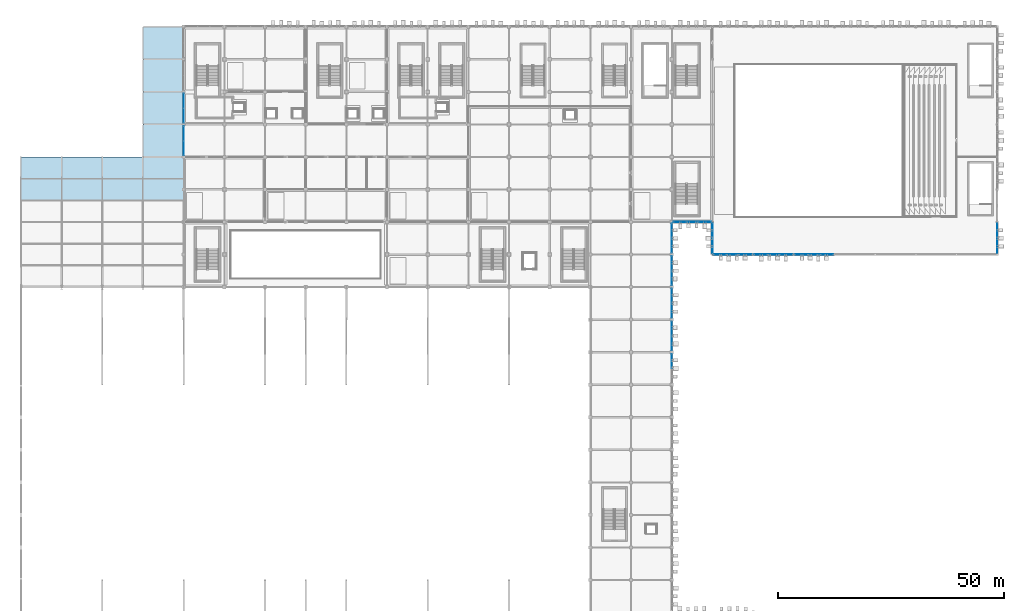
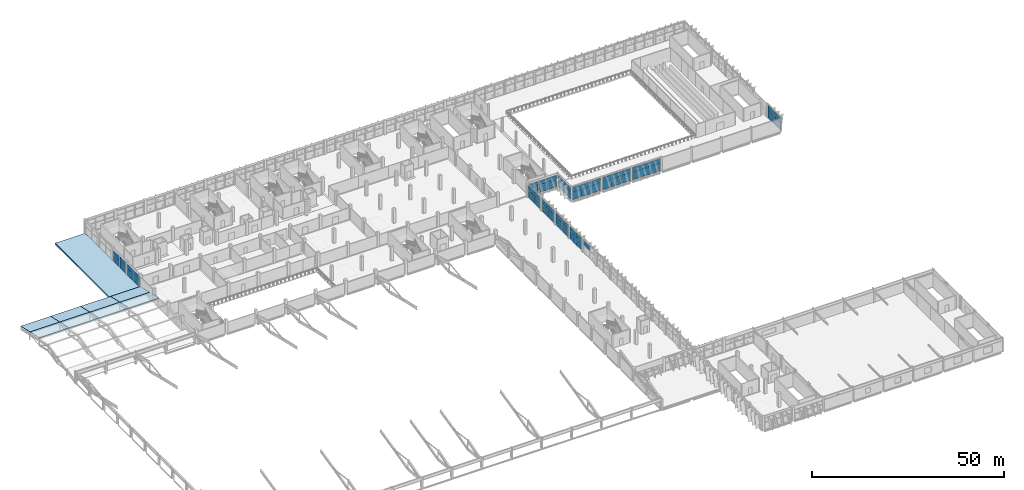
# One storey, part 90 of 151: 57 plates, 9 slabs, 13 elements without a shape of their own.
"""IFC4 building model written with IfcOpenShell, lengths in metres."""

from ifc_helpers import new_model, si_unit, direction, frame, origin, origin_2d, place, context, subcontext, project, spatial, polyline, rectangle, outline, extrude, material, layer, layer_set, type_object, element, aggregate, save


model = new_model("IFC4")

# Units and contexts
model_context = context("Model", 3, precision=1e-05, world=origin(), true_north=direction((0.0, 1.0)))
body_context = subcontext(model_context, "Body", "Model", "MODEL_VIEW")
ifc_project = project(units=[si_unit("LENGTHUNIT", "METRE"), si_unit("AREAUNIT", "SQUARE_METRE"), si_unit("VOLUMEUNIT", "CUBIC_METRE"), si_unit("PLANEANGLEUNIT", "RADIAN"), si_unit("MASSUNIT", "GRAM", prefix="KILO")], contexts=[model_context])

# Site, building, storey
site_placement = place(None, origin())
site = spatial("IfcSite", under=ifc_project, at=site_placement, CompositionType="ELEMENT")
building_placement = place(site_placement, origin())
building = spatial("IfcBuilding", under=site, at=building_placement, Name="Celestram Park Convention Centre", CompositionType="ELEMENT")
storey_placement = place(building_placement, frame((0.0, 0.0, 10.800048828125)))
storey = spatial("IfcBuildingStorey", under=building, at=storey_placement, Name="L02", CompositionType="ELEMENT", Elevation=10.800048828125)

# Curtain wall, plates
ifc_material_1 = material(Name="Anodised Aluminium Alloy 6063-T6", Category="aluminium")
ifc_layer_1 = layer(ifc_material_1, 0.179931640625)
ifc_layer_set_1 = layer_set([ifc_layer_1], Name="Anodised Aluminium Alloy 6063-T6")
curtain_wall_type_1 = type_object("IfcCurtainWallType", Name="ARC-CW-650X363", PredefinedType="NOTDEFINED", material=ifc_layer_set_1)
curtain_wall_1_placement = place(storey_placement, origin())
curtain_wall_1 = element("IfcCurtainWall", 1, at=curtain_wall_1_placement, inside=storey, type_object=curtain_wall_type_1, Name="Unitised curtain wall CU-L02-146", PredefinedType="NOTDEFINED")
ifc_material_2 = material(Name="Insulated Glazing Unit 28 mm", Category="glass")
ifc_layer_2 = layer(ifc_material_2, 0.028076171875)
ifc_layer_set_2 = layer_set([ifc_layer_2], Name="Insulated Glazing Unit 28 mm")
plate_type_1 = type_object("IfcPlateType", Name="ARC-CWP-IGU28", PredefinedType="CURTAIN_PANEL", material=ifc_layer_set_2)
plate_1_placement = place(storey_placement, frame((36.0, 138.790283203125, 0.06005859375), z_axis=(0.0, 0.0, 1.0), x_axis=(0.0, 1.0, 0.0)))
plate_1 = element("IfcPlate", 2, at=plate_1_placement, type_object=plate_type_1, Name="CW-65X36 panel 1.1", PredefinedType="CURTAIN_PANEL", context=body_context, shape_type="SweptSolid", body=[
    extrude(rectangle(XDim=3.154541015625, YDim=0.028076171875, at=origin_2d()), origin(), (0.0, 0.0, 1.0), 2.0869140625),
])
plate_2_placement = place(storey_placement, frame((36.0, 138.790283203125, 2.20703125), z_axis=(0.0, 0.0, 1.0), x_axis=(0.0, 1.0, 0.0)))
plate_2 = element("IfcPlate", 3, at=plate_2_placement, type_object=plate_type_1, Name="CW-65X36 panel 1.2", PredefinedType="CURTAIN_PANEL", context=body_context, shape_type="SweptSolid", body=[
    extrude(rectangle(XDim=3.154541015625, YDim=0.028076171875, at=origin_2d()), origin(), (0.0, 0.0, 1.0), 1.361083984375),
])
plate_3_placement = place(storey_placement, frame((36.0, 142.009765625, 0.06005859375), z_axis=(0.0, 0.0, 1.0), x_axis=(0.0, 1.0, 0.0)))
plate_3 = element("IfcPlate", 4, at=plate_3_placement, type_object=plate_type_1, Name="CW-65X36 panel 2.1", PredefinedType="CURTAIN_PANEL", context=body_context, shape_type="SweptSolid", body=[
    extrude(rectangle(XDim=3.154541015625, YDim=0.028076171875, at=origin_2d()), origin(), (0.0, 0.0, 1.0), 2.0869140625),
])
plate_4_placement = place(storey_placement, frame((36.0, 142.009765625, 2.20703125), z_axis=(0.0, 0.0, 1.0), x_axis=(0.0, 1.0, 0.0)))
plate_4 = element("IfcPlate", 5, at=plate_4_placement, type_object=plate_type_1, Name="CW-65X36 panel 2.2", PredefinedType="CURTAIN_PANEL", context=body_context, shape_type="SweptSolid", body=[
    extrude(rectangle(XDim=3.154541015625, YDim=0.028076171875, at=origin_2d()), origin(), (0.0, 0.0, 1.0), 1.361083984375),
])
aggregate(curtain_wall_1, [plate_1, plate_2, plate_3, plate_4])

curtain_wall_2_placement = place(storey_placement, origin())
curtain_wall_2 = element("IfcCurtainWall", 6, at=curtain_wall_2_placement, inside=storey, type_object=curtain_wall_type_1, Name="Unitised curtain wall CU-L02-147", PredefinedType="NOTDEFINED")
plate_5_placement = place(storey_placement, frame((36.0, 145.990234375, 0.06005859375), z_axis=(0.0, 0.0, 1.0), x_axis=(0.0, 1.0, 0.0)))
plate_5 = element("IfcPlate", 7, at=plate_5_placement, type_object=plate_type_1, Name="CW-65X36 panel 1.1", PredefinedType="CURTAIN_PANEL", context=body_context, shape_type="SweptSolid", body=[
    extrude(rectangle(XDim=3.154541015625, YDim=0.028076171875, at=origin_2d()), origin(), (0.0, 0.0, 1.0), 2.0869140625),
])
plate_6_placement = place(storey_placement, frame((36.0, 145.990234375, 2.20703125), z_axis=(0.0, 0.0, 1.0), x_axis=(0.0, 1.0, 0.0)))
plate_6 = element("IfcPlate", 8, at=plate_6_placement, type_object=plate_type_1, Name="CW-65X36 panel 1.2", PredefinedType="CURTAIN_PANEL", context=body_context, shape_type="SweptSolid", body=[
    extrude(rectangle(XDim=3.154541015625, YDim=0.028076171875, at=origin_2d()), origin(), (0.0, 0.0, 1.0), 1.361083984375),
])
plate_7_placement = place(storey_placement, frame((36.0, 149.209716796875, 0.06005859375), z_axis=(0.0, 0.0, 1.0), x_axis=(0.0, 1.0, 0.0)))
plate_7 = element("IfcPlate", 9, at=plate_7_placement, type_object=plate_type_1, Name="CW-65X36 panel 2.1", PredefinedType="CURTAIN_PANEL", context=body_context, shape_type="SweptSolid", body=[
    extrude(rectangle(XDim=3.154541015625, YDim=0.028076171875, at=origin_2d()), origin(), (0.0, 0.0, 1.0), 2.0869140625),
])
plate_8_placement = place(storey_placement, frame((36.0, 149.209716796875, 2.20703125), z_axis=(0.0, 0.0, 1.0), x_axis=(0.0, 1.0, 0.0)))
plate_8 = element("IfcPlate", 10, at=plate_8_placement, type_object=plate_type_1, Name="CW-65X36 panel 2.2", PredefinedType="CURTAIN_PANEL", context=body_context, shape_type="SweptSolid", body=[
    extrude(rectangle(XDim=3.154541015625, YDim=0.028076171875, at=origin_2d()), origin(), (0.0, 0.0, 1.0), 1.361083984375),
])
aggregate(curtain_wall_2, [plate_5, plate_6, plate_7, plate_8])

ifc_layer_3 = layer(ifc_material_1, 0.179931640625)
ifc_layer_set_3 = layer_set([ifc_layer_3], Name="Anodised Aluminium Alloy 6063-T6")
curtain_wall_type_2 = type_object("IfcCurtainWallType", Name="ARC-CW-680X414", PredefinedType="NOTDEFINED", material=ifc_layer_set_3)
curtain_wall_3_placement = place(storey_placement, origin())
curtain_wall_3 = element("IfcCurtainWall", 11, at=curtain_wall_3_placement, inside=storey, type_object=curtain_wall_type_2, Name="Unitised curtain wall CU-L02-175", PredefinedType="NOTDEFINED")
plate_9_placement = place(storey_placement, frame((216.0, 120.48486328125, 0.06005859375), z_axis=(0.0, 0.0, 1.0), x_axis=(0.0, -1.0, 0.0)))
plate_9 = element("IfcPlate", 12, at=plate_9_placement, type_object=plate_type_1, Name="CW-68X41 panel 1.1", PredefinedType="CURTAIN_PANEL", context=body_context, shape_type="SweptSolid", body=[
    extrude(rectangle(XDim=3.304443359375, YDim=0.028076171875, at=origin_2d()), origin(), (0.0, 0.0, 1.0), 2.39599609375),
])
plate_10_placement = place(storey_placement, frame((216.0, 120.48486328125, 2.51611328125), z_axis=(0.0, 0.0, 1.0), x_axis=(0.0, -1.0, 0.0)))
plate_10 = element("IfcPlate", 13, at=plate_10_placement, type_object=plate_type_1, Name="CW-68X41 panel 1.2", PredefinedType="CURTAIN_PANEL", context=body_context, shape_type="SweptSolid", body=[
    extrude(rectangle(XDim=3.304443359375, YDim=0.028076171875, at=origin_2d()), origin(), (0.0, 0.0, 1.0), 1.568115234375),
])
plate_11_placement = place(storey_placement, frame((216.0, 117.115234375, 0.06005859375), z_axis=(0.0, 0.0, 1.0), x_axis=(0.0, -1.0, 0.0)))
plate_11 = element("IfcPlate", 14, at=plate_11_placement, type_object=plate_type_1, Name="CW-68X41 panel 2.1", PredefinedType="CURTAIN_PANEL", context=body_context, shape_type="SweptSolid", body=[
    extrude(rectangle(XDim=3.304443359375, YDim=0.028076171875, at=origin_2d()), origin(), (0.0, 0.0, 1.0), 2.39599609375),
])
plate_12_placement = place(storey_placement, frame((216.0, 117.115234375, 2.51611328125), z_axis=(0.0, 0.0, 1.0), x_axis=(0.0, -1.0, 0.0)))
plate_12 = element("IfcPlate", 15, at=plate_12_placement, type_object=plate_type_1, Name="CW-68X41 panel 2.2", PredefinedType="CURTAIN_PANEL", context=body_context, shape_type="SweptSolid", body=[
    extrude(rectangle(XDim=3.304443359375, YDim=0.028076171875, at=origin_2d()), origin(), (0.0, 0.0, 1.0), 1.568115234375),
])
aggregate(curtain_wall_3, [plate_9, plate_10, plate_11, plate_12])

ifc_layer_4 = layer(ifc_material_1, 0.179931640625)
ifc_layer_set_4 = layer_set([ifc_layer_4], Name="Anodised Aluminium Alloy 6063-T6")
curtain_wall_type_3 = type_object("IfcCurtainWallType", Name="ARC-CW-680X389", PredefinedType="NOTDEFINED", material=ifc_layer_set_4)
curtain_wall_4_placement = place(storey_placement, origin())
curtain_wall_4 = element("IfcCurtainWall", 16, at=curtain_wall_4_placement, inside=storey, type_object=curtain_wall_type_3, Name="Unitised curtain wall CU-L02-179", PredefinedType="NOTDEFINED")
plate_13_placement = place(storey_placement, frame((153.0, 117.115234375, 0.059814453125), z_axis=(0.0, 0.0, 1.0), x_axis=(0.0, 1.0, 0.0)))
plate_13 = element("IfcPlate", 17, at=plate_13_placement, type_object=plate_type_1, Name="CW-68X38 panel 1.1", PredefinedType="CURTAIN_PANEL", context=body_context, shape_type="SweptSolid", body=[
    extrude(rectangle(XDim=3.304443359375, YDim=0.028076171875, at=origin_2d()), origin(), (0.0, 0.0, 1.0), 2.24609375),
])
plate_14_placement = place(storey_placement, frame((153.0, 117.115234375, 2.36572265625), z_axis=(0.0, 0.0, 1.0), x_axis=(0.0, 1.0, 0.0)))
plate_14 = element("IfcPlate", 18, at=plate_14_placement, type_object=plate_type_1, Name="CW-68X38 panel 1.2", PredefinedType="CURTAIN_PANEL", context=body_context, shape_type="SweptSolid", body=[
    extrude(rectangle(XDim=3.304443359375, YDim=0.028076171875, at=origin_2d()), origin(), (0.0, 0.0, 1.0), 1.468017578125),
])
plate_15_placement = place(storey_placement, frame((153.0, 120.48486328125, 0.059814453125), z_axis=(0.0, 0.0, 1.0), x_axis=(0.0, 1.0, 0.0)))
plate_15 = element("IfcPlate", 19, at=plate_15_placement, type_object=plate_type_1, Name="CW-68X38 panel 2.1", PredefinedType="CURTAIN_PANEL", context=body_context, shape_type="SweptSolid", body=[
    extrude(rectangle(XDim=3.304443359375, YDim=0.028076171875, at=origin_2d()), origin(), (0.0, 0.0, 1.0), 2.24609375),
])
plate_16_placement = place(storey_placement, frame((153.0, 120.48486328125, 2.36572265625), z_axis=(0.0, 0.0, 1.0), x_axis=(0.0, 1.0, 0.0)))
plate_16 = element("IfcPlate", 20, at=plate_16_placement, type_object=plate_type_1, Name="CW-68X38 panel 2.2", PredefinedType="CURTAIN_PANEL", context=body_context, shape_type="SweptSolid", body=[
    extrude(rectangle(XDim=3.304443359375, YDim=0.028076171875, at=origin_2d()), origin(), (0.0, 0.0, 1.0), 1.468017578125),
])
aggregate(curtain_wall_4, [plate_13, plate_14, plate_15, plate_16])

ifc_layer_5 = layer(ifc_material_1, 0.179931640625)
ifc_layer_set_5 = layer_set([ifc_layer_5], Name="Anodised Aluminium Alloy 6063-T6")
curtain_wall_type_4 = type_object("IfcCurtainWallType", Name="ARC-CW-650X389", PredefinedType="NOTDEFINED", material=ifc_layer_set_5)
curtain_wall_5_placement = place(storey_placement, origin())
curtain_wall_5 = element("IfcCurtainWall", 21, at=curtain_wall_5_placement, inside=storey, type_object=curtain_wall_type_4, Name="Unitised curtain wall CU-L02-181", PredefinedType="NOTDEFINED")
plate_17_placement = place(storey_placement, frame((144.0, 120.40966796875, 0.059814453125), z_axis=(0.0, 0.0, 1.0), x_axis=(0.0, -1.0, 0.0)))
plate_17 = element("IfcPlate", 22, at=plate_17_placement, type_object=plate_type_1, Name="CW-65X38 panel 1.1", PredefinedType="CURTAIN_PANEL", context=body_context, shape_type="SweptSolid", body=[
    extrude(rectangle(XDim=3.154541015625, YDim=0.028076171875, at=origin_2d()), origin(), (0.0, 0.0, 1.0), 2.24609375),
])
plate_18_placement = place(storey_placement, frame((144.0, 120.40966796875, 2.36572265625), z_axis=(0.0, 0.0, 1.0), x_axis=(0.0, -1.0, 0.0)))
plate_18 = element("IfcPlate", 23, at=plate_18_placement, type_object=plate_type_1, Name="CW-65X38 panel 1.2", PredefinedType="CURTAIN_PANEL", context=body_context, shape_type="SweptSolid", body=[
    extrude(rectangle(XDim=3.154541015625, YDim=0.028076171875, at=origin_2d()), origin(), (0.0, 0.0, 1.0), 1.468017578125),
])
plate_19_placement = place(storey_placement, frame((144.0, 117.190185546875, 0.059814453125), z_axis=(0.0, 0.0, 1.0), x_axis=(0.0, -1.0, 0.0)))
plate_19 = element("IfcPlate", 24, at=plate_19_placement, type_object=plate_type_1, Name="CW-65X38 panel 2.1", PredefinedType="CURTAIN_PANEL", context=body_context, shape_type="SweptSolid", body=[
    extrude(rectangle(XDim=3.154541015625, YDim=0.028076171875, at=origin_2d()), origin(), (0.0, 0.0, 1.0), 2.24609375),
])
plate_20_placement = place(storey_placement, frame((144.0, 117.190185546875, 2.36572265625), z_axis=(0.0, 0.0, 1.0), x_axis=(0.0, -1.0, 0.0)))
plate_20 = element("IfcPlate", 25, at=plate_20_placement, type_object=plate_type_1, Name="CW-65X38 panel 2.2", PredefinedType="CURTAIN_PANEL", context=body_context, shape_type="SweptSolid", body=[
    extrude(rectangle(XDim=3.154541015625, YDim=0.028076171875, at=origin_2d()), origin(), (0.0, 0.0, 1.0), 1.468017578125),
])
aggregate(curtain_wall_5, [plate_17, plate_18, plate_19, plate_20])

ifc_layer_6 = layer(ifc_material_1, 0.179931640625)
ifc_layer_set_6 = layer_set([ifc_layer_6], Name="Anodised Aluminium Alloy 6063-T6")
curtain_wall_type_5 = type_object("IfcCurtainWallType", Name="ARC-CW-650X400", PredefinedType="NOTDEFINED", material=ifc_layer_set_6)
curtain_wall_6_placement = place(storey_placement, origin())
curtain_wall_6 = element("IfcCurtainWall", 26, at=curtain_wall_6_placement, inside=storey, type_object=curtain_wall_type_5, Name="Unitised curtain wall CU-L02-182", PredefinedType="NOTDEFINED")
plate_21_placement = place(storey_placement, frame((144.0, 113.209716796875, 0.059814453125), z_axis=(0.0, 0.0, 1.0), x_axis=(0.0, -1.0, 0.0)))
plate_21 = element("IfcPlate", 27, at=plate_21_placement, type_object=plate_type_1, Name="CW-65X40 panel 1.1", PredefinedType="CURTAIN_PANEL", context=body_context, shape_type="SweptSolid", body=[
    extrude(rectangle(XDim=3.154541015625, YDim=0.028076171875, at=origin_2d()), origin(), (0.0, 0.0, 1.0), 2.31005859375),
])
plate_22_placement = place(storey_placement, frame((144.0, 113.209716796875, 2.43017578125), z_axis=(0.0, 0.0, 1.0), x_axis=(0.0, -1.0, 0.0)))
plate_22 = element("IfcPlate", 28, at=plate_22_placement, type_object=plate_type_1, Name="CW-65X40 panel 1.2", PredefinedType="CURTAIN_PANEL", context=body_context, shape_type="SweptSolid", body=[
    extrude(rectangle(XDim=3.154541015625, YDim=0.028076171875, at=origin_2d()), origin(), (0.0, 0.0, 1.0), 1.510009765625),
])
plate_23_placement = place(storey_placement, frame((144.0, 109.990234375, 0.059814453125), z_axis=(0.0, 0.0, 1.0), x_axis=(0.0, -1.0, 0.0)))
plate_23 = element("IfcPlate", 29, at=plate_23_placement, type_object=plate_type_1, Name="CW-65X40 panel 2.1", PredefinedType="CURTAIN_PANEL", context=body_context, shape_type="SweptSolid", body=[
    extrude(rectangle(XDim=3.154541015625, YDim=0.028076171875, at=origin_2d()), origin(), (0.0, 0.0, 1.0), 2.31005859375),
])
plate_24_placement = place(storey_placement, frame((144.0, 109.990234375, 2.43017578125), z_axis=(0.0, 0.0, 1.0), x_axis=(0.0, -1.0, 0.0)))
plate_24 = element("IfcPlate", 30, at=plate_24_placement, type_object=plate_type_1, Name="CW-65X40 panel 2.2", PredefinedType="CURTAIN_PANEL", context=body_context, shape_type="SweptSolid", body=[
    extrude(rectangle(XDim=3.154541015625, YDim=0.028076171875, at=origin_2d()), origin(), (0.0, 0.0, 1.0), 1.510009765625),
])
aggregate(curtain_wall_6, [plate_21, plate_22, plate_23, plate_24])

curtain_wall_7_placement = place(storey_placement, origin())
curtain_wall_7 = element("IfcCurtainWall", 31, at=curtain_wall_7_placement, inside=storey, type_object=curtain_wall_type_5, Name="Unitised curtain wall CU-L02-183", PredefinedType="NOTDEFINED")
plate_25_placement = place(storey_placement, frame((144.0, 106.009765625, 0.059814453125), z_axis=(0.0, 0.0, 1.0), x_axis=(0.0, -1.0, 0.0)))
plate_25 = element("IfcPlate", 32, at=plate_25_placement, type_object=plate_type_1, Name="CW-65X40 panel 1.1", PredefinedType="CURTAIN_PANEL", context=body_context, shape_type="SweptSolid", body=[
    extrude(rectangle(XDim=3.154541015625, YDim=0.028076171875, at=origin_2d()), origin(), (0.0, 0.0, 1.0), 2.31005859375),
])
plate_26_placement = place(storey_placement, frame((144.0, 106.009765625, 2.43017578125), z_axis=(0.0, 0.0, 1.0), x_axis=(0.0, -1.0, 0.0)))
plate_26 = element("IfcPlate", 33, at=plate_26_placement, type_object=plate_type_1, Name="CW-65X40 panel 1.2", PredefinedType="CURTAIN_PANEL", context=body_context, shape_type="SweptSolid", body=[
    extrude(rectangle(XDim=3.154541015625, YDim=0.028076171875, at=origin_2d()), origin(), (0.0, 0.0, 1.0), 1.510009765625),
])
plate_27_placement = place(storey_placement, frame((144.0, 102.790283203125, 0.059814453125), z_axis=(0.0, 0.0, 1.0), x_axis=(0.0, -1.0, 0.0)))
plate_27 = element("IfcPlate", 34, at=plate_27_placement, type_object=plate_type_1, Name="CW-65X40 panel 2.1", PredefinedType="CURTAIN_PANEL", context=body_context, shape_type="SweptSolid", body=[
    extrude(rectangle(XDim=3.154541015625, YDim=0.028076171875, at=origin_2d()), origin(), (0.0, 0.0, 1.0), 2.31005859375),
])
plate_28_placement = place(storey_placement, frame((144.0, 102.790283203125, 2.43017578125), z_axis=(0.0, 0.0, 1.0), x_axis=(0.0, -1.0, 0.0)))
plate_28 = element("IfcPlate", 35, at=plate_28_placement, type_object=plate_type_1, Name="CW-65X40 panel 2.2", PredefinedType="CURTAIN_PANEL", context=body_context, shape_type="SweptSolid", body=[
    extrude(rectangle(XDim=3.154541015625, YDim=0.028076171875, at=origin_2d()), origin(), (0.0, 0.0, 1.0), 1.510009765625),
])
aggregate(curtain_wall_7, [plate_25, plate_26, plate_27, plate_28])

curtain_wall_8_placement = place(storey_placement, origin())
curtain_wall_8 = element("IfcCurtainWall", 36, at=curtain_wall_8_placement, inside=storey, type_object=curtain_wall_type_5, Name="Unitised curtain wall CU-L02-184", PredefinedType="NOTDEFINED")
plate_29_placement = place(storey_placement, frame((144.0, 98.809814453125, 0.059814453125), z_axis=(0.0, 0.0, 1.0), x_axis=(0.0, -1.0, 0.0)))
plate_29 = element("IfcPlate", 37, at=plate_29_placement, type_object=plate_type_1, Name="CW-65X40 panel 1.1", PredefinedType="CURTAIN_PANEL", context=body_context, shape_type="SweptSolid", body=[
    extrude(rectangle(XDim=3.154541015625, YDim=0.028076171875, at=origin_2d()), origin(), (0.0, 0.0, 1.0), 2.31005859375),
])
plate_30_placement = place(storey_placement, frame((144.0, 98.809814453125, 2.43017578125), z_axis=(0.0, 0.0, 1.0), x_axis=(0.0, -1.0, 0.0)))
plate_30 = element("IfcPlate", 38, at=plate_30_placement, type_object=plate_type_1, Name="CW-65X40 panel 1.2", PredefinedType="CURTAIN_PANEL", context=body_context, shape_type="SweptSolid", body=[
    extrude(rectangle(XDim=3.154541015625, YDim=0.028076171875, at=origin_2d()), origin(), (0.0, 0.0, 1.0), 1.510009765625),
])
plate_31_placement = place(storey_placement, frame((144.0, 95.59033203125, 0.059814453125), z_axis=(0.0, 0.0, 1.0), x_axis=(0.0, -1.0, 0.0)))
plate_31 = element("IfcPlate", 39, at=plate_31_placement, type_object=plate_type_1, Name="CW-65X40 panel 2.1", PredefinedType="CURTAIN_PANEL", context=body_context, shape_type="SweptSolid", body=[
    extrude(rectangle(XDim=3.154541015625, YDim=0.028076171875, at=origin_2d()), origin(), (0.0, 0.0, 1.0), 2.31005859375),
])
plate_32_placement = place(storey_placement, frame((144.0, 95.59033203125, 2.43017578125), z_axis=(0.0, 0.0, 1.0), x_axis=(0.0, -1.0, 0.0)))
plate_32 = element("IfcPlate", 40, at=plate_32_placement, type_object=plate_type_1, Name="CW-65X40 panel 2.2", PredefinedType="CURTAIN_PANEL", context=body_context, shape_type="SweptSolid", body=[
    extrude(rectangle(XDim=3.154541015625, YDim=0.028076171875, at=origin_2d()), origin(), (0.0, 0.0, 1.0), 1.510009765625),
])
aggregate(curtain_wall_8, [plate_29, plate_30, plate_31, plate_32])

# Curtain wall, plate
curtain_wall_9_placement = place(storey_placement, origin())
curtain_wall_9 = element("IfcCurtainWall", 41, at=curtain_wall_9_placement, inside=storey, type_object=curtain_wall_type_5, Name="Unitised curtain wall CU-L02-185", PredefinedType="NOTDEFINED")
plate_33_placement = place(storey_placement, frame((144.0, 91.60986328125, 2.43017578125), z_axis=(0.0, 0.0, 1.0), x_axis=(0.0, -1.0, 0.0)))
plate_33 = element("IfcPlate", 42, at=plate_33_placement, type_object=plate_type_1, Name="CW-65X40 panel 1.2", PredefinedType="CURTAIN_PANEL", context=body_context, shape_type="SweptSolid", body=[
    extrude(rectangle(XDim=3.154541015625, YDim=0.028076171875, at=origin_2d()), origin(), (0.0, 0.0, 1.0), 1.510009765625),
])
aggregate(curtain_wall_9, [plate_33])

# Curtain wall, plates
ifc_layer_7 = layer(ifc_material_1, 0.179931640625)
ifc_layer_set_7 = layer_set([ifc_layer_7], Name="Anodised Aluminium Alloy 6063-T6")
curtain_wall_type_6 = type_object("IfcCurtainWallType", Name="ARC-CW-860X414", PredefinedType="NOTDEFINED", material=ifc_layer_set_7)
curtain_wall_10_placement = place(storey_placement, origin())
curtain_wall_10 = element("IfcCurtainWall", 43, at=curtain_wall_10_placement, inside=storey, type_object=curtain_wall_type_6, Name="Unitised curtain wall CU-L02-176", PredefinedType="NOTDEFINED")
ifc_material_3 = material(Name="Insulated Glazing Unit 38 mm", Category="glass")
ifc_layer_8 = layer(ifc_material_3, 0.0380859375)
ifc_layer_set_8 = layer_set([ifc_layer_8], Name="Insulated Glazing Unit 38 mm")
plate_type_2 = type_object("IfcPlateType", Name="ARC-CWP-IGU38", PredefinedType="CURTAIN_PANEL", material=ifc_layer_set_8)
plate_34_placement = place(storey_placement, frame((178.349365234375, 115.199951171875, 0.06494140625), z_axis=(0.0, 0.0, 1.0), x_axis=(-1.0, 0.0, 0.0)))
plate_34 = element("IfcPlate", 44, at=plate_34_placement, type_object=plate_type_2, Name="CW-86X41 panel 1.1", PredefinedType="CURTAIN_PANEL", context=body_context, shape_type="SweptSolid", body=[
    extrude(rectangle(XDim=2.755615234375, YDim=0.0380859375, at=origin_2d()), origin(), (0.0, 0.0, 1.0), 2.388427734375),
])
plate_35_placement = place(storey_placement, frame((178.349365234375, 115.199951171875, 2.518310546875), z_axis=(0.0, 0.0, 1.0), x_axis=(-1.0, 0.0, 0.0)))
plate_35 = element("IfcPlate", 45, at=plate_35_placement, type_object=plate_type_2, Name="CW-86X41 panel 1.2", PredefinedType="CURTAIN_PANEL", context=body_context, shape_type="SweptSolid", body=[
    extrude(rectangle(XDim=2.755615234375, YDim=0.0380859375, at=origin_2d()), origin(), (0.0, 0.0, 1.0), 1.560546875),
])
plate_36_placement = place(storey_placement, frame((175.5, 115.199951171875, 0.06494140625), z_axis=(0.0, 0.0, 1.0), x_axis=(-1.0, 0.0, 0.0)))
plate_36 = element("IfcPlate", 46, at=plate_36_placement, type_object=plate_type_2, Name="CW-86X41 panel 2.1", PredefinedType="CURTAIN_PANEL", context=body_context, shape_type="SweptSolid", body=[
    extrude(rectangle(XDim=2.79296875, YDim=0.0380859375, at=origin_2d()), origin(), (0.0, 0.0, 1.0), 2.388427734375),
])
plate_37_placement = place(storey_placement, frame((175.5, 115.199951171875, 2.518310546875), z_axis=(0.0, 0.0, 1.0), x_axis=(-1.0, 0.0, 0.0)))
plate_37 = element("IfcPlate", 47, at=plate_37_placement, type_object=plate_type_2, Name="CW-86X41 panel 2.2", PredefinedType="CURTAIN_PANEL", context=body_context, shape_type="SweptSolid", body=[
    extrude(rectangle(XDim=2.79296875, YDim=0.0380859375, at=origin_2d()), origin(), (0.0, 0.0, 1.0), 1.560546875),
])
plate_38_placement = place(storey_placement, frame((172.650634765625, 115.199951171875, 0.06494140625), z_axis=(0.0, 0.0, 1.0), x_axis=(-1.0, 0.0, 0.0)))
plate_38 = element("IfcPlate", 48, at=plate_38_placement, type_object=plate_type_2, Name="CW-86X41 panel 3.1", PredefinedType="CURTAIN_PANEL", context=body_context, shape_type="SweptSolid", body=[
    extrude(rectangle(XDim=2.755615234375, YDim=0.0380859375, at=origin_2d()), origin(), (0.0, 0.0, 1.0), 2.388427734375),
])
plate_39_placement = place(storey_placement, frame((172.650634765625, 115.199951171875, 2.518310546875), z_axis=(0.0, 0.0, 1.0), x_axis=(-1.0, 0.0, 0.0)))
plate_39 = element("IfcPlate", 49, at=plate_39_placement, type_object=plate_type_2, Name="CW-86X41 panel 3.2", PredefinedType="CURTAIN_PANEL", context=body_context, shape_type="SweptSolid", body=[
    extrude(rectangle(XDim=2.755615234375, YDim=0.0380859375, at=origin_2d()), origin(), (0.0, 0.0, 1.0), 1.560546875),
])
aggregate(curtain_wall_10, [plate_34, plate_35, plate_36, plate_37, plate_38, plate_39])

curtain_wall_11_placement = place(storey_placement, origin())
curtain_wall_11 = element("IfcCurtainWall", 50, at=curtain_wall_11_placement, inside=storey, type_object=curtain_wall_type_6, Name="Unitised curtain wall CU-L02-177", PredefinedType="NOTDEFINED")
plate_40_placement = place(storey_placement, frame((169.349365234375, 115.199951171875, 0.06494140625), z_axis=(0.0, 0.0, 1.0), x_axis=(-1.0, 0.0, 0.0)))
plate_40 = element("IfcPlate", 51, at=plate_40_placement, type_object=plate_type_2, Name="CW-86X41 panel 1.1", PredefinedType="CURTAIN_PANEL", context=body_context, shape_type="SweptSolid", body=[
    extrude(rectangle(XDim=2.755615234375, YDim=0.0380859375, at=origin_2d()), origin(), (0.0, 0.0, 1.0), 2.388427734375),
])
plate_41_placement = place(storey_placement, frame((169.349365234375, 115.199951171875, 2.518310546875), z_axis=(0.0, 0.0, 1.0), x_axis=(-1.0, 0.0, 0.0)))
plate_41 = element("IfcPlate", 52, at=plate_41_placement, type_object=plate_type_2, Name="CW-86X41 panel 1.2", PredefinedType="CURTAIN_PANEL", context=body_context, shape_type="SweptSolid", body=[
    extrude(rectangle(XDim=2.755615234375, YDim=0.0380859375, at=origin_2d()), origin(), (0.0, 0.0, 1.0), 1.560546875),
])
plate_42_placement = place(storey_placement, frame((166.5, 115.199951171875, 0.06494140625), z_axis=(0.0, 0.0, 1.0), x_axis=(-1.0, 0.0, 0.0)))
plate_42 = element("IfcPlate", 53, at=plate_42_placement, type_object=plate_type_2, Name="CW-86X41 panel 2.1", PredefinedType="CURTAIN_PANEL", context=body_context, shape_type="SweptSolid", body=[
    extrude(rectangle(XDim=2.79296875, YDim=0.0380859375, at=origin_2d()), origin(), (0.0, 0.0, 1.0), 2.388427734375),
])
plate_43_placement = place(storey_placement, frame((166.5, 115.199951171875, 2.518310546875), z_axis=(0.0, 0.0, 1.0), x_axis=(-1.0, 0.0, 0.0)))
plate_43 = element("IfcPlate", 54, at=plate_43_placement, type_object=plate_type_2, Name="CW-86X41 panel 2.2", PredefinedType="CURTAIN_PANEL", context=body_context, shape_type="SweptSolid", body=[
    extrude(rectangle(XDim=2.79296875, YDim=0.0380859375, at=origin_2d()), origin(), (0.0, 0.0, 1.0), 1.560546875),
])
plate_44_placement = place(storey_placement, frame((163.650634765625, 115.199951171875, 0.06494140625), z_axis=(0.0, 0.0, 1.0), x_axis=(-1.0, 0.0, 0.0)))
plate_44 = element("IfcPlate", 55, at=plate_44_placement, type_object=plate_type_2, Name="CW-86X41 panel 3.1", PredefinedType="CURTAIN_PANEL", context=body_context, shape_type="SweptSolid", body=[
    extrude(rectangle(XDim=2.755615234375, YDim=0.0380859375, at=origin_2d()), origin(), (0.0, 0.0, 1.0), 2.388427734375),
])
plate_45_placement = place(storey_placement, frame((163.650634765625, 115.199951171875, 2.518310546875), z_axis=(0.0, 0.0, 1.0), x_axis=(-1.0, 0.0, 0.0)))
plate_45 = element("IfcPlate", 56, at=plate_45_placement, type_object=plate_type_2, Name="CW-86X41 panel 3.2", PredefinedType="CURTAIN_PANEL", context=body_context, shape_type="SweptSolid", body=[
    extrude(rectangle(XDim=2.755615234375, YDim=0.0380859375, at=origin_2d()), origin(), (0.0, 0.0, 1.0), 1.560546875),
])
aggregate(curtain_wall_11, [plate_40, plate_41, plate_42, plate_43, plate_44, plate_45])

curtain_wall_12_placement = place(storey_placement, origin())
curtain_wall_12 = element("IfcCurtainWall", 57, at=curtain_wall_12_placement, inside=storey, type_object=curtain_wall_type_6, Name="Unitised curtain wall CU-L02-178", PredefinedType="NOTDEFINED")
plate_46_placement = place(storey_placement, frame((160.349365234375, 115.199951171875, 0.06494140625), z_axis=(0.0, 0.0, 1.0), x_axis=(-1.0, 0.0, 0.0)))
plate_46 = element("IfcPlate", 58, at=plate_46_placement, type_object=plate_type_2, Name="CW-86X41 panel 1.1", PredefinedType="CURTAIN_PANEL", context=body_context, shape_type="SweptSolid", body=[
    extrude(rectangle(XDim=2.755615234375, YDim=0.0380859375, at=origin_2d()), origin(), (0.0, 0.0, 1.0), 2.388427734375),
])
plate_47_placement = place(storey_placement, frame((160.349365234375, 115.199951171875, 2.518310546875), z_axis=(0.0, 0.0, 1.0), x_axis=(-1.0, 0.0, 0.0)))
plate_47 = element("IfcPlate", 59, at=plate_47_placement, type_object=plate_type_2, Name="CW-86X41 panel 1.2", PredefinedType="CURTAIN_PANEL", context=body_context, shape_type="SweptSolid", body=[
    extrude(rectangle(XDim=2.755615234375, YDim=0.0380859375, at=origin_2d()), origin(), (0.0, 0.0, 1.0), 1.560546875),
])
plate_48_placement = place(storey_placement, frame((157.5, 115.199951171875, 0.06494140625), z_axis=(0.0, 0.0, 1.0), x_axis=(-1.0, 0.0, 0.0)))
plate_48 = element("IfcPlate", 60, at=plate_48_placement, type_object=plate_type_2, Name="CW-86X41 panel 2.1", PredefinedType="CURTAIN_PANEL", context=body_context, shape_type="SweptSolid", body=[
    extrude(rectangle(XDim=2.79296875, YDim=0.0380859375, at=origin_2d()), origin(), (0.0, 0.0, 1.0), 2.388427734375),
])
plate_49_placement = place(storey_placement, frame((157.5, 115.199951171875, 2.518310546875), z_axis=(0.0, 0.0, 1.0), x_axis=(-1.0, 0.0, 0.0)))
plate_49 = element("IfcPlate", 61, at=plate_49_placement, type_object=plate_type_2, Name="CW-86X41 panel 2.2", PredefinedType="CURTAIN_PANEL", context=body_context, shape_type="SweptSolid", body=[
    extrude(rectangle(XDim=2.79296875, YDim=0.0380859375, at=origin_2d()), origin(), (0.0, 0.0, 1.0), 1.560546875),
])
plate_50_placement = place(storey_placement, frame((154.650634765625, 115.199951171875, 0.06494140625), z_axis=(0.0, 0.0, 1.0), x_axis=(-1.0, 0.0, 0.0)))
plate_50 = element("IfcPlate", 62, at=plate_50_placement, type_object=plate_type_2, Name="CW-86X41 panel 3.1", PredefinedType="CURTAIN_PANEL", context=body_context, shape_type="SweptSolid", body=[
    extrude(rectangle(XDim=2.755615234375, YDim=0.0380859375, at=origin_2d()), origin(), (0.0, 0.0, 1.0), 2.388427734375),
])
plate_51_placement = place(storey_placement, frame((154.650634765625, 115.199951171875, 2.518310546875), z_axis=(0.0, 0.0, 1.0), x_axis=(-1.0, 0.0, 0.0)))
plate_51 = element("IfcPlate", 63, at=plate_51_placement, type_object=plate_type_2, Name="CW-86X41 panel 3.2", PredefinedType="CURTAIN_PANEL", context=body_context, shape_type="SweptSolid", body=[
    extrude(rectangle(XDim=2.755615234375, YDim=0.0380859375, at=origin_2d()), origin(), (0.0, 0.0, 1.0), 1.560546875),
])
aggregate(curtain_wall_12, [plate_46, plate_47, plate_48, plate_49, plate_50, plate_51])

ifc_layer_9 = layer(ifc_material_1, 0.179931640625)
ifc_layer_set_9 = layer_set([ifc_layer_9], Name="Anodised Aluminium Alloy 6063-T6")
curtain_wall_type_7 = type_object("IfcCurtainWallType", Name="ARC-CW-845X389", PredefinedType="NOTDEFINED", material=ifc_layer_set_9)
curtain_wall_13_placement = place(storey_placement, origin())
curtain_wall_13 = element("IfcCurtainWall", 64, at=curtain_wall_13_placement, inside=storey, type_object=curtain_wall_type_7, Name="Unitised curtain wall CU-L02-180", PredefinedType="NOTDEFINED")
plate_52_placement = place(storey_placement, frame((151.374267578125, 122.39990234375, 0.06494140625), z_axis=(0.0, 0.0, 1.0), x_axis=(-1.0, 0.0, 0.0)))
plate_52 = element("IfcPlate", 65, at=plate_52_placement, type_object=plate_type_2, Name="CW-84X38 panel 1.1", PredefinedType="CURTAIN_PANEL", context=body_context, shape_type="SweptSolid", body=[
    extrude(rectangle(XDim=2.70556640625, YDim=0.0380859375, at=origin_2d()), origin(), (0.0, 0.0, 1.0), 2.238525390625),
])
plate_53_placement = place(storey_placement, frame((151.374267578125, 122.39990234375, 2.368408203125), z_axis=(0.0, 0.0, 1.0), x_axis=(-1.0, 0.0, 0.0)))
plate_53 = element("IfcPlate", 66, at=plate_53_placement, type_object=plate_type_2, Name="CW-84X38 panel 1.2", PredefinedType="CURTAIN_PANEL", context=body_context, shape_type="SweptSolid", body=[
    extrude(rectangle(XDim=2.70556640625, YDim=0.0380859375, at=origin_2d()), origin(), (0.0, 0.0, 1.0), 1.46044921875),
])
plate_54_placement = place(storey_placement, frame((148.574951171875, 122.39990234375, 0.06494140625), z_axis=(0.0, 0.0, 1.0), x_axis=(-1.0, 0.0, 0.0)))
plate_54 = element("IfcPlate", 67, at=plate_54_placement, type_object=plate_type_2, Name="CW-84X38 panel 2.1", PredefinedType="CURTAIN_PANEL", context=body_context, shape_type="SweptSolid", body=[
    extrude(rectangle(XDim=2.742919921875, YDim=0.0380859375, at=origin_2d()), origin(), (0.0, 0.0, 1.0), 2.238525390625),
])
plate_55_placement = place(storey_placement, frame((148.574951171875, 122.39990234375, 2.368408203125), z_axis=(0.0, 0.0, 1.0), x_axis=(-1.0, 0.0, 0.0)))
plate_55 = element("IfcPlate", 68, at=plate_55_placement, type_object=plate_type_2, Name="CW-84X38 panel 2.2", PredefinedType="CURTAIN_PANEL", context=body_context, shape_type="SweptSolid", body=[
    extrude(rectangle(XDim=2.742919921875, YDim=0.0380859375, at=origin_2d()), origin(), (0.0, 0.0, 1.0), 1.46044921875),
])
plate_56_placement = place(storey_placement, frame((145.775634765625, 122.39990234375, 0.06494140625), z_axis=(0.0, 0.0, 1.0), x_axis=(-1.0, 0.0, 0.0)))
plate_56 = element("IfcPlate", 69, at=plate_56_placement, type_object=plate_type_2, Name="CW-84X38 panel 3.1", PredefinedType="CURTAIN_PANEL", context=body_context, shape_type="SweptSolid", body=[
    extrude(rectangle(XDim=2.70556640625, YDim=0.0380859375, at=origin_2d()), origin(), (0.0, 0.0, 1.0), 2.238525390625),
])
plate_57_placement = place(storey_placement, frame((145.775634765625, 122.39990234375, 2.368408203125), z_axis=(0.0, 0.0, 1.0), x_axis=(-1.0, 0.0, 0.0)))
plate_57 = element("IfcPlate", 70, at=plate_57_placement, type_object=plate_type_2, Name="CW-84X38 panel 3.2", PredefinedType="CURTAIN_PANEL", context=body_context, shape_type="SweptSolid", body=[
    extrude(rectangle(XDim=2.70556640625, YDim=0.0380859375, at=origin_2d()), origin(), (0.0, 0.0, 1.0), 1.46044921875),
])
aggregate(curtain_wall_13, [plate_52, plate_53, plate_54, plate_55, plate_56, plate_57])

# Slabs
ifc_material_4 = material(Name="Concrete C35/45", Category="concrete")
ifc_layer_10 = layer(ifc_material_4, 0.159912109375)
ifc_layer_set_10 = layer_set([ifc_layer_10], Name="Concrete C35/45")
slab_type_1 = type_object("IfcSlabType", Name="STR-SLB-ARCH160", PredefinedType="ROOF", material=ifc_layer_set_10)
for number, where, z_axis, x_axis, name in (
    (71, (0.0, 127.199951171875, 2.683349609375), (0.0, 0.216925200651, 0.976188228429), (1.0, 0.0, 0.0), "WPV arched roof deck facet 1.5"),
    (72, (0.0, 132.0, 1.61669921875), (0.0, 0.216925200651, 0.976188228429), (1.0, 0.0, 0.0), "WPV arched roof deck facet 1.6"),
    (73, (9.0, 127.199951171875, 2.683349609375), (0.0, 0.216925200651, 0.976188228429), (1.0, 0.0, 0.0), "WPV arched roof deck facet 2.5"),
    (74, (9.0, 132.0, 1.61669921875), (0.0, 0.216925200651, 0.976188228429), (1.0, 0.0, 0.0), "WPV arched roof deck facet 2.6"),
    (75, (18.0, 127.199951171875, 2.683349609375), (0.0, 0.216925200651, 0.976188228429), (1.0, 0.0, 0.0), "WPV arched roof deck facet 3.5"),
    (76, (18.0, 132.0, 1.61669921875), (0.0, 0.216925200651, 0.976188228429), (1.0, 0.0, 0.0), "WPV arched roof deck facet 3.6"),
    (77, (27.0, 127.199951171875, 2.683349609375), (0.0, 0.216925200651, 0.976188228429), (1.0, 0.0, 0.0), "WPV arched roof deck facet 4.5"),
    (78, (27.0, 132.0, 1.61669921875), (0.0, 0.216925200651, 0.976188228429), (1.0, 0.0, 0.0), "WPV arched roof deck facet 4.6"),
):
    element("IfcSlab", number, at=place(storey_placement, frame(where, z_axis=z_axis, x_axis=x_axis)), inside=storey, type_object=slab_type_1, Name=name, PredefinedType="ROOF", context=body_context, shape_type="SweptSolid", body=[
        extrude(outline(polyline([(0.0, 0.0), (9.0, 0.0), (9.0, 4.917134511908806), (0.0, 4.917134511908806), (0.0, 0.0)])), origin(), (0.0, 0.0, -1.0), 0.159912109375),
    ])
ifc_layer_11 = layer(ifc_material_4, 0.239990234375)
ifc_layer_set_11 = layer_set([ifc_layer_11], Name="Concrete C35/45")
slab_type_2 = type_object("IfcSlabType", Name="STR-SLB-ROOF240", PredefinedType="ROOF", material=ifc_layer_set_11)
slab_placement = place(storey_placement, frame((0.0, 0.0, -0.239990234375)))
element("IfcSlab", 79, at=slab_placement, inside=storey, type_object=slab_type_2, Name="Winter-Garden cosmic canopy deck", PredefinedType="ROOF", context=body_context, shape_type="SweptSolid", body=[
    extrude(outline(polyline([(27.0, 136.800048828125), (36.0, 136.800048828125), (36.0, 165.60009765625), (27.0, 165.60009765625), (27.0, 136.800048828125)])), origin(), (0.0, 0.0, 1.0), 0.239990234375),
])

save(model, "model.ifc")
